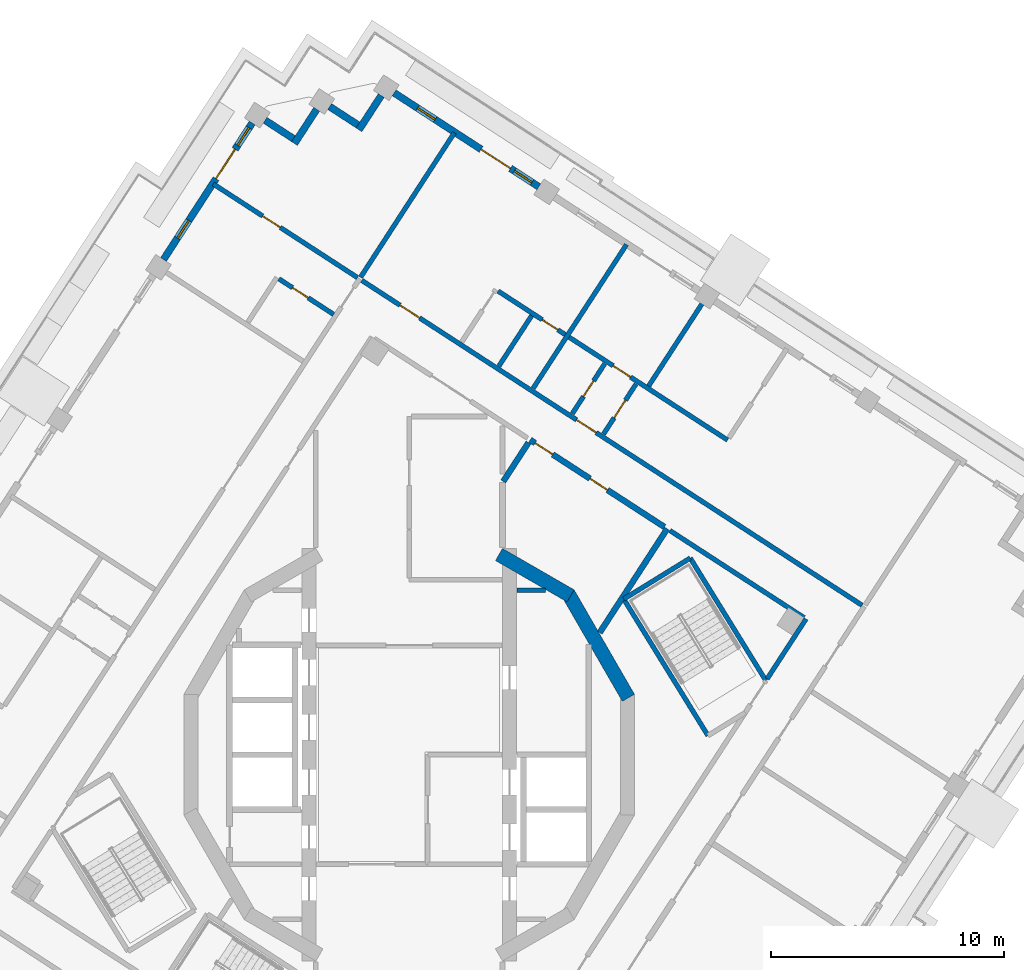
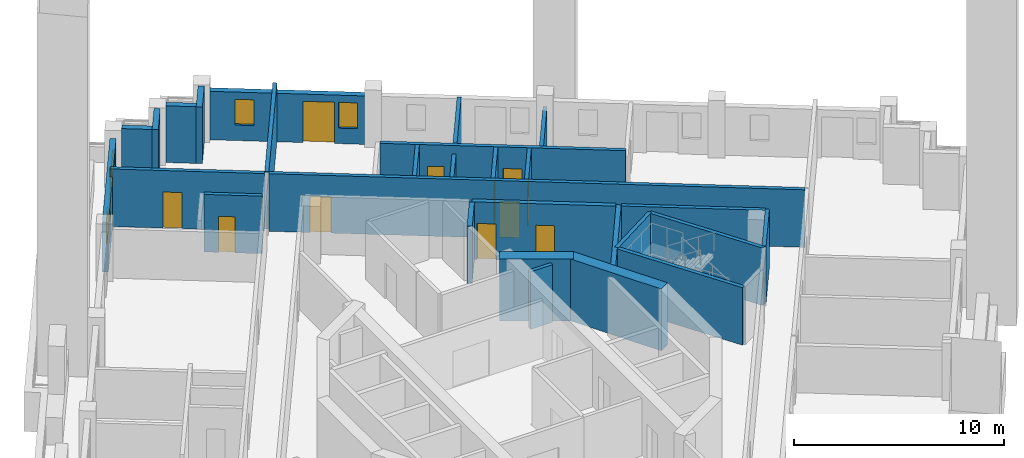
# One storey, part 7 of 15: 27 walls, 12 doors, 4 windows, 16 openings.
"""IFC4 building model written with IfcOpenShell, lengths in metres."""

from ifc_helpers import new_model, si_unit, direction, frame, frame_2d, origin, place, context, subcontext, project, spatial, rectangle, extrude, material, layer, layer_set, type_object, element, fill, save


model = new_model("IFC4")

# Units and contexts
model_context = context("Model", 3, precision=1e-05, world=origin(), true_north=direction((0.0, 1.0)))
body_context = subcontext(model_context, "Body", "Model", "MODEL_VIEW")
ifc_project = project(units=[si_unit("LENGTHUNIT", "METRE"), si_unit("AREAUNIT", "SQUARE_METRE"), si_unit("VOLUMEUNIT", "CUBIC_METRE"), si_unit("PLANEANGLEUNIT", "RADIAN"), si_unit("MASSUNIT", "GRAM", prefix="KILO")], contexts=[model_context])

# Site, building, storey
site_placement = place(None, origin())
site = spatial("IfcSite", under=ifc_project, at=site_placement, CompositionType="ELEMENT")
building_placement = place(site_placement, origin())
building = spatial("IfcBuilding", under=site, at=building_placement, Name="Cantera Rosa Tower", CompositionType="ELEMENT")
storey_placement = place(building_placement, frame((0.0, 0.0, 250.5)))
storey = spatial("IfcBuildingStorey", under=building, at=storey_placement, Name="L55", CompositionType="ELEMENT", Elevation=250.5)

# Walls
ifc_material_1 = material(Name="Gypsum board partition")
ifc_layer_1 = layer(ifc_material_1, 0.199951171875)
ifc_layer_set_1 = layer_set([ifc_layer_1], Name="CORRIDOR WALL 200 H3350")
wall_type_1 = type_object("IfcWallType", Name="CORRIDOR WALL 200 H3350", PredefinedType="PARTITIONING", material=ifc_layer_set_1)
wall_1_placement = place(storey_placement, frame((15.349853515625, 3.256103515625, 0.0), z_axis=(0.0, 0.0, 1.0), x_axis=(0.544603984755, 0.838693328809, 0.0)))
element("IfcWall", 1, at=wall_1_placement, inside=storey, type_object=wall_type_1, Name="CORRIDOR WALL L55-093", PredefinedType="PARTITIONING", context=body_context, shape_type="SweptSolid", body=[
    extrude(rectangle(XDim=3.05908203125, YDim=0.199951171875, at=frame_2d((1.529541015625, 0.0))), origin(), (0.0, 0.0, 1.0), 3.35009765625),
])
wall_2_placement = place(storey_placement, frame((16.931884765625, 5.876220703125, 0.0), z_axis=(0.0, 0.0, 1.0), x_axis=(-0.838675281216, 0.544631777146, 0.0)))
element("IfcWall", 2, at=wall_2_placement, inside=storey, type_object=wall_type_1, Name="CORRIDOR WALL L55-095", PredefinedType="PARTITIONING", context=body_context, shape_type="SweptSolid", body=[
    extrude(rectangle(XDim=6.85986328125, YDim=0.199951171875, at=frame_2d((3.429931640625, 0.0))), origin(), (0.0, 0.0, 1.0), 3.35009765625),
])

# Wall, openings, doors
wall_3_placement = place(storey_placement, frame((19.422119140625, 6.405517578125, 0.0), z_axis=(0.0, 0.0, 1.0), x_axis=(-0.838672283131, 0.544636393851, 0.0)))
wall_3 = element("IfcWall", 3, at=wall_3_placement, inside=storey, type_object=wall_type_1, Name="CORRIDOR WALL L55-098", PredefinedType="PARTITIONING", context=body_context, shape_type="SweptSolid", body=[
    extrude(rectangle(XDim=25.580078125, YDim=0.199951171875, at=frame_2d((12.7900390625, 0.0))), origin(), (0.0, 0.0, 1.0), 3.35009765625),
])
opening_1_placement = place(wall_3_placement, frame((13.60009765625, 0.0, 0.0)))
opening_1 = element("IfcOpeningElement", 4, at=opening_1_placement, cuts=wall_3, Name="Opening L55-019", PredefinedType="OPENING", context=body_context, shape_type="SweptSolid", body=[
    extrude(rectangle(XDim=1.0, YDim=2.10009765625, at=frame_2d((0.5, 1.050048828125))), frame((0.0, 0.10986328125, 0.0), z_axis=(0.0, -1.0, 0.0), x_axis=(1.0, 0.0, 0.0)), (0.0, 0.0, 1.0), 0.219970703125),
])
opening_2_placement = place(wall_3_placement, frame((22.625, 0.0, 0.0)))
opening_2 = element("IfcOpeningElement", 5, at=opening_2_placement, cuts=wall_3, Name="Opening L55-024", PredefinedType="OPENING", context=body_context, shape_type="SweptSolid", body=[
    extrude(rectangle(XDim=1.0, YDim=2.10009765625, at=frame_2d((0.5, 1.050048828125))), frame((0.0, 0.10986328125, 0.0), z_axis=(0.0, -1.0, 0.0), x_axis=(1.0, 0.0, 0.0)), (0.0, 0.0, 1.0), 0.219970703125),
])
ifc_material_2 = material(Name="Timber door leaf", Category="wood")
door_type_1 = type_object("IfcDoorType", Name="ENTRANCE DOOR 1000x2100", OperationType="NOTDEFINED", PredefinedType="DOOR", material=ifc_material_2)
door_1_placement = place(opening_1_placement, origin())
door_1 = element("IfcDoor", 6, at=door_1_placement, inside=storey, type_object=door_type_1, Name="DOOR L55-019", OperationType="NOTDEFINED", OverallHeight=2.10009765625, OverallWidth=1.0, PredefinedType="DOOR", context=body_context, shape_type="SweptSolid", body=[
    extrude(rectangle(XDim=1.0, YDim=2.10009765625, at=frame_2d((0.5, 1.050048828125))), frame((0.0, 0.02490234375, 0.0), z_axis=(0.0, -1.0, 0.0), x_axis=(1.0, 0.0, 0.0)), (0.0, 0.0, 1.0), 0.050048828125),
])
fill(opening_1, door_1)
door_2_placement = place(opening_2_placement, origin())
door_2 = element("IfcDoor", 7, at=door_2_placement, inside=storey, type_object=door_type_1, Name="DOOR L55-024", OperationType="NOTDEFINED", OverallHeight=2.10009765625, OverallWidth=1.0, PredefinedType="DOOR", context=body_context, shape_type="SweptSolid", body=[
    extrude(rectangle(XDim=1.0, YDim=2.10009765625, at=frame_2d((0.5, 1.050048828125))), frame((0.0, 0.02490234375, 0.0), z_axis=(0.0, -1.0, 0.0), x_axis=(1.0, 0.0, 0.0)), (0.0, 0.0, 1.0), 0.050048828125),
])
fill(opening_2, door_2)

# Walls
ifc_material_3 = material(Name="Hollow clay masonry with cantera stone cladding", Category="masonry")
ifc_layer_2 = layer(ifc_material_3, 0.300048828125)
ifc_layer_set_2 = layer_set([ifc_layer_2], Name="EW-LOGGIA 300")
wall_type_2 = type_object("IfcWallType", Name="EW-LOGGIA 300", PredefinedType="SOLIDWALL", material=ifc_layer_set_2)
wall_4_placement = place(storey_placement, frame((-1.2001953125, 28.263427734375, 0.0), z_axis=(0.0, 0.0, 1.0), x_axis=(-0.54461563776, -0.838685761837, 0.0)))
element("IfcWall", 8, at=wall_4_placement, inside=storey, type_object=wall_type_2, Name="EN-L55-W05a", PredefinedType="SOLIDWALL", context=body_context, shape_type="SweptSolid", body=[
    extrude(rectangle(XDim=1.75, YDim=0.300048828125, at=frame_2d((0.875, 0.0))), origin(), (0.0, 0.0, 1.0), 3.300048828125),
])
wall_5_placement = place(storey_placement, frame((-2.197509765625, 27.003173828125, 0.0), z_axis=(0.0, 0.0, 1.0), x_axis=(-0.838647435384, 0.54467465438, 0.0)))
element("IfcWall", 9, at=wall_5_placement, inside=storey, type_object=wall_type_2, Name="EN-L55-W05b", PredefinedType="SOLIDWALL", context=body_context, shape_type="SweptSolid", body=[
    extrude(rectangle(XDim=1.449951171875, YDim=0.300048828125, at=frame_2d((0.72509765625, 0.0))), origin(), (0.0, 0.0, 1.0), 3.300048828125),
])
wall_6_placement = place(storey_placement, frame((-3.966796875, 27.67529296875, 0.0), z_axis=(0.0, 0.0, 1.0), x_axis=(-0.544679362749, -0.83864437743, 0.0)))
element("IfcWall", 10, at=wall_6_placement, inside=storey, type_object=wall_type_2, Name="EN-L55-W06a", PredefinedType="SOLIDWALL", context=body_context, shape_type="SweptSolid", body=[
    extrude(rectangle(XDim=1.75, YDim=0.300048828125, at=frame_2d((0.875, 0.0))), origin(), (0.0, 0.0, 1.0), 3.300048828125),
])
wall_7_placement = place(storey_placement, frame((-4.964111328125, 26.415283203125, 0.0), z_axis=(0.0, 0.0, 1.0), x_axis=(-0.838724343483, 0.544556218997, 0.0)))
element("IfcWall", 11, at=wall_7_placement, inside=storey, type_object=wall_type_2, Name="EN-L55-W06b", PredefinedType="SOLIDWALL", context=body_context, shape_type="SweptSolid", body=[
    extrude(rectangle(XDim=1.449951171875, YDim=0.300048828125, at=frame_2d((0.72509765625, 0.0))), origin(), (0.0, 0.0, 1.0), 3.300048828125),
])

# Wall, openings, windows, door
ifc_material_4 = material(Name="Hollow clay masonry with cantera stone cladding", Category="masonry")
ifc_layer_3 = layer(ifc_material_4, 0.300048828125)
ifc_layer_set_3 = layer_set([ifc_layer_3], Name="EW-LOGGIA 300 H2820")
wall_type_3 = type_object("IfcWallType", Name="EW-LOGGIA 300 H2820", PredefinedType="SOLIDWALL", material=ifc_layer_set_3)
wall_8_placement = place(storey_placement, frame((5.559326171875, 24.350830078125, 0.0), z_axis=(0.0, 0.0, 1.0), x_axis=(-0.838679465365, 0.544625333946, 0.0)))
wall_8 = element("IfcWall", 12, at=wall_8_placement, inside=storey, type_object=wall_type_3, Name="EN-L55-W04", PredefinedType="SOLIDWALL", context=body_context, shape_type="SweptSolid", body=[
    extrude(rectangle(XDim=7.400146484375, YDim=0.300048828125, at=frame_2d((3.7001953125, 0.0))), origin(), (0.0, 0.0, 1.0), 2.820068359375),
])
opening_3_placement = place(wall_8_placement, frame((0.35009765625, 0.0, 0.89990234375)))
opening_3 = element("IfcOpeningElement", 13, at=opening_3_placement, cuts=wall_8, Name="Opening L55-W10", PredefinedType="OPENING", context=body_context, shape_type="SweptSolid", body=[
    extrude(rectangle(XDim=0.89990234375, YDim=1.5, at=frame_2d((0.449951171875, 0.75))), frame((0.0, 0.159912109375, 0.0), z_axis=(0.0, -1.0, 0.0), x_axis=(1.0, 0.0, 0.0)), (0.0, 0.0, 1.0), 0.320068359375),
])
opening_4_placement = place(wall_8_placement, frame((1.449951171875, 0.0, 0.0)))
opening_4 = element("IfcOpeningElement", 14, at=opening_4_placement, cuts=wall_8, Name="Opening L55-TD11", PredefinedType="OPENING", context=body_context, shape_type="SweptSolid", body=[
    extrude(rectangle(XDim=1.5, YDim=2.39990234375, at=frame_2d((0.75, 1.199951171875))), frame((0.0, 0.159912109375, 0.0), z_axis=(0.0, -1.0, 0.0), x_axis=(1.0, 0.0, 0.0)), (0.0, 0.0, 1.0), 0.320068359375),
])
opening_5_placement = place(wall_8_placement, frame((5.300048828125, 0.0, 0.89990234375)))
opening_5 = element("IfcOpeningElement", 15, at=opening_5_placement, cuts=wall_8, Name="Opening L55-W12", PredefinedType="OPENING", context=body_context, shape_type="SweptSolid", body=[
    extrude(rectangle(XDim=0.89990234375, YDim=1.5, at=frame_2d((0.449951171875, 0.75))), frame((0.0, 0.159912109375, 0.0), z_axis=(0.0, -1.0, 0.0), x_axis=(1.0, 0.0, 0.0)), (0.0, 0.0, 1.0), 0.320068359375),
])
ifc_material_5 = material(Name="Aluminium frame with clear glass", Category="aluminium")
window_type = type_object("IfcWindowType", Name="Residential window 900x1500", PartitioningType="SINGLE_PANEL", PredefinedType="WINDOW", material=ifc_material_5)
window_1_placement = place(opening_3_placement, origin())
window_1 = element("IfcWindow", 16, at=window_1_placement, inside=storey, type_object=window_type, Name="WINDOW L55-W10", OverallHeight=1.5, OverallWidth=0.89990234375, PartitioningType="SINGLE_PANEL", PredefinedType="WINDOW", context=body_context, shape_type="SweptSolid", body=[
    extrude(rectangle(XDim=0.89990234375, YDim=1.5, at=frame_2d((0.449951171875, 0.75))), frame((0.0, 0.030029296875, 0.0), z_axis=(0.0, -1.0, 0.0), x_axis=(1.0, 0.0, 0.0)), (0.0, 0.0, 1.0), 0.06005859375),
])
fill(opening_3, window_1)
window_2_placement = place(opening_5_placement, origin())
window_2 = element("IfcWindow", 17, at=window_2_placement, inside=storey, type_object=window_type, Name="WINDOW L55-W12", OverallHeight=1.5, OverallWidth=0.89990234375, PartitioningType="SINGLE_PANEL", PredefinedType="WINDOW", context=body_context, shape_type="SweptSolid", body=[
    extrude(rectangle(XDim=0.89990234375, YDim=1.5, at=frame_2d((0.449951171875, 0.75))), frame((0.0, 0.030029296875, 0.0), z_axis=(0.0, -1.0, 0.0), x_axis=(1.0, 0.0, 0.0)), (0.0, 0.0, 1.0), 0.06005859375),
])
fill(opening_5, window_2)
ifc_material_6 = material(Name="Aluminium frame with clear glass", Category="aluminium")
door_type_2 = type_object("IfcDoorType", Name="TD-R 1500x2400", OperationType="NOTDEFINED", PredefinedType="DOOR", material=ifc_material_6)
door_3_placement = place(opening_4_placement, origin())
door_3 = element("IfcDoor", 18, at=door_3_placement, inside=storey, type_object=door_type_2, Name="LOGGIA DOOR L55-TD11", OperationType="SLIDING_TO_LEFT", OverallHeight=2.39990234375, OverallWidth=1.5, PredefinedType="DOOR", context=body_context, shape_type="SweptSolid", body=[
    extrude(rectangle(XDim=1.5, YDim=2.39990234375, at=frame_2d((0.75, 1.199951171875))), frame((0.0, 0.02490234375, 0.0), z_axis=(0.0, -1.0, 0.0), x_axis=(1.0, 0.0, 0.0)), (0.0, 0.0, 1.0), 0.050048828125),
])
fill(opening_4, door_3)

ifc_material_7 = material(Name="Hollow clay masonry with cantera stone cladding", Category="masonry")
ifc_layer_4 = layer(ifc_material_7, 0.300048828125)
ifc_layer_set_4 = layer_set([ifc_layer_4], Name="EW-LOGGIA 300 H2890")
wall_type_4 = type_object("IfcWallType", Name="EW-LOGGIA 300 H2890", PredefinedType="SOLIDWALL", material=ifc_layer_set_4)
wall_9_placement = place(storey_placement, frame((-6.7333984375, 27.08740234375, 0.0), z_axis=(0.0, 0.0, 1.0), x_axis=(-0.544651451949, -0.838662504164, 0.0)))
wall_9 = element("IfcWall", 19, at=wall_9_placement, inside=storey, type_object=wall_type_4, Name="EN-L55-W07", PredefinedType="SOLIDWALL", context=body_context, shape_type="SweptSolid", body=[
    extrude(rectangle(XDim=6.980224609375, YDim=0.300048828125, at=frame_2d((3.490234375, 0.0))), origin(), (0.0, 0.0, 1.0), 2.889892578125),
])
opening_6_placement = place(wall_9_placement, frame((0.2451171875, 0.0, 0.89990234375)))
opening_6 = element("IfcOpeningElement", 20, at=opening_6_placement, cuts=wall_9, Name="Opening L55-W13", PredefinedType="OPENING", context=body_context, shape_type="SweptSolid", body=[
    extrude(rectangle(XDim=0.89990234375, YDim=1.5, at=frame_2d((0.449951171875, 0.75))), frame((0.0, 0.159912109375, 0.0), z_axis=(0.0, -1.0, 0.0), x_axis=(1.0, 0.0, 0.0)), (0.0, 0.0, 1.0), 0.320068359375),
])
opening_7_placement = place(wall_9_placement, frame((1.344970703125, 0.0, 0.0)))
opening_7 = element("IfcOpeningElement", 21, at=opening_7_placement, cuts=wall_9, Name="Opening L55-TD14", PredefinedType="OPENING", context=body_context, shape_type="SweptSolid", body=[
    extrude(rectangle(XDim=1.5, YDim=2.39990234375, at=frame_2d((0.75, 1.199951171875))), frame((0.0, 0.159912109375, 0.0), z_axis=(0.0, -1.0, 0.0), x_axis=(1.0, 0.0, 0.0)), (0.0, 0.0, 1.0), 0.320068359375),
])
opening_8_placement = place(wall_9_placement, frame((4.985107421875, 0.0, 0.89990234375)))
opening_8 = element("IfcOpeningElement", 22, at=opening_8_placement, cuts=wall_9, Name="Opening L55-W15", PredefinedType="OPENING", context=body_context, shape_type="SweptSolid", body=[
    extrude(rectangle(XDim=0.89990234375, YDim=1.5, at=frame_2d((0.449951171875, 0.75))), frame((0.0, 0.159912109375, 0.0), z_axis=(0.0, -1.0, 0.0), x_axis=(1.0, 0.0, 0.0)), (0.0, 0.0, 1.0), 0.320068359375),
])
window_3_placement = place(opening_6_placement, origin())
window_3 = element("IfcWindow", 23, at=window_3_placement, inside=storey, type_object=window_type, Name="WINDOW L55-W13", OverallHeight=1.5, OverallWidth=0.89990234375, PartitioningType="SINGLE_PANEL", PredefinedType="WINDOW", context=body_context, shape_type="SweptSolid", body=[
    extrude(rectangle(XDim=0.89990234375, YDim=1.5, at=frame_2d((0.449951171875, 0.75))), frame((0.0, 0.030029296875, 0.0), z_axis=(0.0, -1.0, 0.0), x_axis=(1.0, 0.0, 0.0)), (0.0, 0.0, 1.0), 0.06005859375),
])
fill(opening_6, window_3)
window_4_placement = place(opening_8_placement, origin())
window_4 = element("IfcWindow", 24, at=window_4_placement, inside=storey, type_object=window_type, Name="WINDOW L55-W15", OverallHeight=1.5, OverallWidth=0.89990234375, PartitioningType="SINGLE_PANEL", PredefinedType="WINDOW", context=body_context, shape_type="SweptSolid", body=[
    extrude(rectangle(XDim=0.89990234375, YDim=1.5, at=frame_2d((0.449951171875, 0.75))), frame((0.0, 0.030029296875, 0.0), z_axis=(0.0, -1.0, 0.0), x_axis=(1.0, 0.0, 0.0)), (0.0, 0.0, 1.0), 0.06005859375),
])
fill(opening_8, window_4)
door_4_placement = place(opening_7_placement, origin())
door_4 = element("IfcDoor", 25, at=door_4_placement, inside=storey, type_object=door_type_2, Name="LOGGIA DOOR L55-TD14", OperationType="SLIDING_TO_LEFT", OverallHeight=2.39990234375, OverallWidth=1.5, PredefinedType="DOOR", context=body_context, shape_type="SweptSolid", body=[
    extrude(rectangle(XDim=1.5, YDim=2.39990234375, at=frame_2d((0.75, 1.199951171875))), frame((0.0, 0.02490234375, 0.0), z_axis=(0.0, -1.0, 0.0), x_axis=(1.0, 0.0, 0.0)), (0.0, 0.0, 1.0), 0.050048828125),
])
fill(opening_7, door_4)

# Wall
ifc_material_8 = material(Name="Gypsum board partition")
ifc_layer_5 = layer(ifc_material_8, 0.199951171875)
ifc_layer_set_5 = layer_set([ifc_layer_5], Name="PARTITION 200 H2450")
wall_type_5 = type_object("IfcWallType", Name="PARTITION 200 H2450", PredefinedType="PARTITIONING", material=ifc_layer_set_5)
wall_10_placement = place(storey_placement, frame((12.75537109375, 19.6416015625, 0.0), z_axis=(0.0, 0.0, 1.0), x_axis=(-0.544637163551, -0.838671783285, 0.0)))
element("IfcWall", 26, at=wall_10_placement, inside=storey, type_object=wall_type_5, Name="PARTITION L55-089", PredefinedType="PARTITIONING", context=body_context, shape_type="SweptSolid", body=[
    extrude(rectangle(XDim=4.570068359375, YDim=0.199951171875, at=frame_2d((2.28515625, 0.0))), origin(), (0.0, 0.0, 1.0), 2.449951171875),
])

# Wall, opening, door
ifc_material_9 = material(Name="Gypsum board partition")
ifc_layer_6 = layer(ifc_material_9, 0.199951171875)
ifc_layer_set_6 = layer_set([ifc_layer_6], Name="PARTITION 200 H3350")
wall_type_6 = type_object("IfcWallType", Name="PARTITION 200 H3350", PredefinedType="PARTITIONING", material=ifc_layer_set_6)
wall_11_placement = place(storey_placement, frame((-5.587890625, 20.405517578125, 0.0), z_axis=(0.0, 0.0, 1.0), x_axis=(0.838656694237, -0.544660398056, 0.0)))
wall_11 = element("IfcWall", 27, at=wall_11_placement, inside=storey, type_object=wall_type_6, Name="PARTITION L55-033", PredefinedType="PARTITIONING", context=body_context, shape_type="SweptSolid", body=[
    extrude(rectangle(XDim=2.80029296875, YDim=0.199951171875, at=frame_2d((1.400146484375, 0.0))), origin(), (0.0, 0.0, 1.0), 3.35009765625),
])
opening_9_placement = place(wall_11_placement, frame((0.699951171875, 0.0, 0.0)))
opening_9 = element("IfcOpeningElement", 28, at=opening_9_placement, cuts=wall_11, Name="Opening L55-034", PredefinedType="OPENING", context=body_context, shape_type="SweptSolid", body=[
    extrude(rectangle(XDim=0.800048828125, YDim=2.10009765625, at=frame_2d((0.39990234375, 1.050048828125))), frame((0.0, 0.10986328125, 0.0), z_axis=(0.0, -1.0, 0.0), x_axis=(1.0, 0.0, 0.0)), (0.0, 0.0, 1.0), 0.219970703125),
])
ifc_material_10 = material(Name="Timber door leaf", Category="wood")
door_type_3 = type_object("IfcDoorType", Name="BATHROOM DOOR 800x2100", OperationType="NOTDEFINED", PredefinedType="DOOR", material=ifc_material_10)
door_5_placement = place(opening_9_placement, origin())
door_5 = element("IfcDoor", 29, at=door_5_placement, inside=storey, type_object=door_type_3, Name="DOOR L55-034", OperationType="NOTDEFINED", OverallHeight=2.10009765625, OverallWidth=0.800048828125, PredefinedType="DOOR", context=body_context, shape_type="SweptSolid", body=[
    extrude(rectangle(XDim=0.800048828125, YDim=2.10009765625, at=frame_2d((0.39990234375, 1.050048828125))), frame((0.0, 0.02490234375, 0.0), z_axis=(0.0, -1.0, 0.0), x_axis=(1.0, 0.0, 0.0)), (0.0, 0.0, 1.0), 0.050048828125),
])
fill(opening_9, door_5)

wall_12_placement = place(storey_placement, frame((-2.2158203125, 20.45703125, 0.0), z_axis=(0.0, 0.0, 1.0), x_axis=(-0.838656223885, 0.544661122294, 0.0)))
wall_12 = element("IfcWall", 30, at=wall_12_placement, inside=storey, type_object=wall_type_6, Name="PARTITION L55-047", PredefinedType="PARTITIONING", context=body_context, shape_type="SweptSolid", body=[
    extrude(rectangle(XDim=7.3701171875, YDim=0.199951171875, at=frame_2d((3.68505859375, 0.0))), origin(), (0.0, 0.0, 1.0), 3.35009765625),
])
opening_10_placement = place(wall_12_placement, frame((3.949951171875, 0.0, 0.0)))
opening_10 = element("IfcOpeningElement", 31, at=opening_10_placement, cuts=wall_12, Name="Opening L55-035", PredefinedType="OPENING", context=body_context, shape_type="SweptSolid", body=[
    extrude(rectangle(XDim=0.89990234375, YDim=2.10009765625, at=frame_2d((0.449951171875, 1.050048828125))), frame((0.0, 0.10986328125, 0.0), z_axis=(0.0, -1.0, 0.0), x_axis=(1.0, 0.0, 0.0)), (0.0, 0.0, 1.0), 0.219970703125),
])
ifc_material_11 = material(Name="Timber door leaf", Category="wood")
door_type_4 = type_object("IfcDoorType", Name="ROOM DOOR 900x2100", OperationType="NOTDEFINED", PredefinedType="DOOR", material=ifc_material_11)
door_6_placement = place(opening_10_placement, origin())
door_6 = element("IfcDoor", 32, at=door_6_placement, inside=storey, type_object=door_type_4, Name="DOOR L55-035", OperationType="NOTDEFINED", OverallHeight=2.10009765625, OverallWidth=0.89990234375, PredefinedType="DOOR", context=body_context, shape_type="SweptSolid", body=[
    extrude(rectangle(XDim=0.89990234375, YDim=2.10009765625, at=frame_2d((0.449951171875, 1.050048828125))), frame((0.0, 0.02490234375, 0.0), z_axis=(0.0, -1.0, 0.0), x_axis=(1.0, 0.0, 0.0)), (0.0, 0.0, 1.0), 0.050048828125),
])
fill(opening_10, door_6)

# Wall, openings, doors
wall_13_placement = place(storey_placement, frame((3.81298828125, 19.880615234375, 0.0), z_axis=(0.0, 0.0, 1.0), x_axis=(0.838672750413, -0.544635674295, 0.0)))
wall_13 = element("IfcWall", 33, at=wall_13_placement, inside=storey, type_object=wall_type_6, Name="PARTITION L55-063", PredefinedType="PARTITIONING", context=body_context, shape_type="SweptSolid", body=[
    extrude(rectangle(XDim=11.729736328125, YDim=0.199951171875, at=frame_2d((5.86474609375, 0.0))), origin(), (0.0, 0.0, 1.0), 3.35009765625),
])
opening_11_placement = place(wall_13_placement, frame((5.8798828125, 0.0, 0.0)))
opening_11 = element("IfcOpeningElement", 34, at=opening_11_placement, cuts=wall_13, Name="Opening L55-022", PredefinedType="OPENING", context=body_context, shape_type="SweptSolid", body=[
    extrude(rectangle(XDim=0.89990234375, YDim=2.10009765625, at=frame_2d((0.449951171875, 1.050048828125))), frame((0.0, 0.10986328125, 0.0), z_axis=(0.0, -1.0, 0.0), x_axis=(1.0, 0.0, 0.0)), (0.0, 0.0, 1.0), 0.219970703125),
])
opening_12_placement = place(wall_13_placement, frame((2.2548828125, 0.0, 0.0)))
opening_12 = element("IfcOpeningElement", 35, at=opening_12_placement, cuts=wall_13, Name="Opening L55-025", PredefinedType="OPENING", context=body_context, shape_type="SweptSolid", body=[
    extrude(rectangle(XDim=0.800048828125, YDim=2.10009765625, at=frame_2d((0.39990234375, 1.050048828125))), frame((0.0, 0.10986328125, 0.0), z_axis=(0.0, -1.0, 0.0), x_axis=(1.0, 0.0, 0.0)), (0.0, 0.0, 1.0), 0.219970703125),
])
door_7_placement = place(opening_12_placement, origin())
door_7 = element("IfcDoor", 36, at=door_7_placement, inside=storey, type_object=door_type_3, Name="DOOR L55-025", OperationType="NOTDEFINED", OverallHeight=2.10009765625, OverallWidth=0.800048828125, PredefinedType="DOOR", context=body_context, shape_type="SweptSolid", body=[
    extrude(rectangle(XDim=0.800048828125, YDim=2.10009765625, at=frame_2d((0.39990234375, 1.050048828125))), frame((0.0, 0.02490234375, 0.0), z_axis=(0.0, -1.0, 0.0), x_axis=(1.0, 0.0, 0.0)), (0.0, 0.0, 1.0), 0.050048828125),
])
fill(opening_12, door_7)
door_8_placement = place(opening_11_placement, origin())
door_8 = element("IfcDoor", 37, at=door_8_placement, inside=storey, type_object=door_type_4, Name="DOOR L55-022", OperationType="NOTDEFINED", OverallHeight=2.10009765625, OverallWidth=0.89990234375, PredefinedType="DOOR", context=body_context, shape_type="SweptSolid", body=[
    extrude(rectangle(XDim=0.89990234375, YDim=2.10009765625, at=frame_2d((0.449951171875, 1.050048828125))), frame((0.0, 0.02490234375, 0.0), z_axis=(0.0, -1.0, 0.0), x_axis=(1.0, 0.0, 0.0)), (0.0, 0.0, 1.0), 0.050048828125),
])
fill(opening_11, door_8)

# Walls
wall_14_placement = place(storey_placement, frame((3.84619140625, 16.66357421875, 0.0), z_axis=(0.0, 0.0, 1.0), x_axis=(0.544592476005, 0.838700801883, 0.0)))
element("IfcWall", 38, at=wall_14_placement, inside=storey, type_object=wall_type_6, Name="PARTITION L55-064", PredefinedType="PARTITIONING", context=body_context, shape_type="SweptSolid", body=[
    extrude(rectangle(XDim=2.580078125, YDim=0.199951171875, at=frame_2d((1.2900390625, 0.0))), origin(), (0.0, 0.0, 1.0), 3.35009765625),
])
wall_15_placement = place(storey_placement, frame((4.6298828125, 7.050048828125, 0.0), z_axis=(0.0, 0.0, 1.0), x_axis=(1.0, 0.0, 0.0)))
element("IfcWall", 39, at=wall_15_placement, inside=storey, type_object=wall_type_6, Name="PARTITION L55-072", PredefinedType="PARTITIONING", context=body_context, shape_type="SweptSolid", body=[
    extrude(rectangle(XDim=1.2177734375, YDim=0.199951171875, at=frame_2d((0.60888671875, 0.0))), origin(), (0.0, 0.0, 1.0), 3.35009765625),
])

# Wall, opening, door
wall_16_placement = place(storey_placement, frame((8.385498046875, 16.768310546875, 0.0), z_axis=(0.0, 0.0, 1.0), x_axis=(-0.544602829464, -0.838694078994, 0.0)))
wall_16 = element("IfcWall", 40, at=wall_16_placement, inside=storey, type_object=wall_type_6, Name="PARTITION L55-083", PredefinedType="PARTITIONING", context=body_context, shape_type="SweptSolid", body=[
    extrude(rectangle(XDim=2.560302734375, YDim=0.199951171875, at=frame_2d((1.2802734375, 0.0))), origin(), (0.0, 0.0, 1.0), 3.35009765625),
])
opening_13_placement = place(wall_16_placement, frame((0.8798828125, 0.0, 0.0)))
opening_13 = element("IfcOpeningElement", 41, at=opening_13_placement, cuts=wall_16, Name="Opening L55-020", PredefinedType="OPENING", context=body_context, shape_type="SweptSolid", body=[
    extrude(rectangle(XDim=0.800048828125, YDim=2.10009765625, at=frame_2d((0.39990234375, 1.050048828125))), frame((0.0, 0.10986328125, 0.0), z_axis=(0.0, -1.0, 0.0), x_axis=(1.0, 0.0, 0.0)), (0.0, 0.0, 1.0), 0.219970703125),
])
door_9_placement = place(opening_13_placement, origin())
door_9 = element("IfcDoor", 42, at=door_9_placement, inside=storey, type_object=door_type_3, Name="DOOR L55-020", OperationType="NOTDEFINED", OverallHeight=2.10009765625, OverallWidth=0.800048828125, PredefinedType="DOOR", context=body_context, shape_type="SweptSolid", body=[
    extrude(rectangle(XDim=0.800048828125, YDim=2.10009765625, at=frame_2d((0.39990234375, 1.050048828125))), frame((0.0, 0.02490234375, 0.0), z_axis=(0.0, -1.0, 0.0), x_axis=(1.0, 0.0, 0.0)), (0.0, 0.0, 1.0), 0.050048828125),
])
fill(opening_13, door_9)

wall_17_placement = place(storey_placement, frame((9.727294921875, 15.896728515625, 0.0), z_axis=(0.0, 0.0, 1.0), x_axis=(-0.544646388536, -0.838665792468, 0.0)))
wall_17 = element("IfcWall", 43, at=wall_17_placement, inside=storey, type_object=wall_type_6, Name="PARTITION L55-086", PredefinedType="PARTITIONING", context=body_context, shape_type="SweptSolid", body=[
    extrude(rectangle(XDim=2.56005859375, YDim=0.199951171875, at=frame_2d((1.280029296875, 0.0))), origin(), (0.0, 0.0, 1.0), 3.35009765625),
])
opening_14_placement = place(wall_17_placement, frame((0.830078125, 0.0, 0.0)))
opening_14 = element("IfcOpeningElement", 44, at=opening_14_placement, cuts=wall_17, Name="Opening L55-021", PredefinedType="OPENING", context=body_context, shape_type="SweptSolid", body=[
    extrude(rectangle(XDim=0.89990234375, YDim=2.10009765625, at=frame_2d((0.449951171875, 1.050048828125))), frame((0.0, 0.10986328125, 0.0), z_axis=(0.0, -1.0, 0.0), x_axis=(1.0, 0.0, 0.0)), (0.0, 0.0, 1.0), 0.219970703125),
])
door_10_placement = place(opening_14_placement, origin())
door_10 = element("IfcDoor", 45, at=door_10_placement, inside=storey, type_object=door_type_4, Name="DOOR L55-021", OperationType="NOTDEFINED", OverallHeight=2.10009765625, OverallWidth=0.89990234375, PredefinedType="DOOR", context=body_context, shape_type="SweptSolid", body=[
    extrude(rectangle(XDim=0.89990234375, YDim=2.10009765625, at=frame_2d((0.449951171875, 1.050048828125))), frame((0.0, 0.02490234375, 0.0), z_axis=(0.0, -1.0, 0.0), x_axis=(1.0, 0.0, 0.0)), (0.0, 0.0, 1.0), 0.050048828125),
])
fill(opening_14, door_10)

# Walls
ifc_material_12 = material(Name="Gypsum board partition")
ifc_layer_7 = layer(ifc_material_12, 0.199951171875)
ifc_layer_set_7 = layer_set([ifc_layer_7], Name="PARTY WALL 200 H2850")
wall_type_7 = type_object("IfcWallType", Name="PARTY WALL 200 H2850", PredefinedType="PARTITIONING", material=ifc_layer_set_7)
wall_18_placement = place(storey_placement, frame((5.313720703125, 15.71044921875, 0.0), z_axis=(0.0, 0.0, 1.0), x_axis=(0.544641550729, 0.838668934217, 0.0)))
element("IfcWall", 46, at=wall_18_placement, inside=storey, type_object=wall_type_7, Name="PARTY WALL L55-075", PredefinedType="PARTITIONING", context=body_context, shape_type="SweptSolid", body=[
    extrude(rectangle(XDim=7.35009765625, YDim=0.199951171875, at=frame_2d((3.675048828125, 0.0))), origin(), (0.0, 0.0, 1.0), 2.85009765625),
])
ifc_material_13 = material(Name="Gypsum board partition")
ifc_layer_8 = layer(ifc_material_13, 0.199951171875)
ifc_layer_set_8 = layer_set([ifc_layer_8], Name="PARTY WALL 200 H3350")
wall_type_8 = type_object("IfcWallType", Name="PARTY WALL 200 H3350", PredefinedType="PARTITIONING", material=ifc_layer_set_8)
wall_19_placement = place(storey_placement, frame((-2.08837890625, 20.4697265625, 0.0), z_axis=(0.0, 0.0, 1.0), x_axis=(0.544642261206, 0.838668472824, 0.0)))
element("IfcWall", 47, at=wall_19_placement, inside=storey, type_object=wall_type_8, Name="PARTY WALL L55-048", PredefinedType="PARTITIONING", context=body_context, shape_type="SweptSolid", body=[
    extrude(rectangle(XDim=7.389892578125, YDim=0.199951171875, at=frame_2d((3.69482421875, 0.0))), origin(), (0.0, 0.0, 1.0), 3.35009765625),
])
ifc_material_14 = material(Name="Concrete C50/60", Category="concrete")
ifc_layer_9 = layer(ifc_material_14, 0.60009765625)
ifc_layer_set_9 = layer_set([ifc_layer_9], Name="RC CORE WALL 600 C50/60")
wall_type_9 = type_object("IfcWallType", Name="RC CORE WALL 600 C50/60", PredefinedType="SHEAR", material=ifc_layer_set_9)
wall_20_placement = place(storey_placement, frame((3.85009765625, 8.584228515625, 0.0), z_axis=(0.0, 0.0, 1.0), x_axis=(0.866039982607, -0.499974747889, 0.0)))
element("IfcWall", 48, at=wall_20_placement, inside=storey, type_object=wall_type_9, Name="CW-E1 L55", PredefinedType="SHEAR", context=body_context, shape_type="SweptSolid", body=[
    extrude(rectangle(XDim=3.546142578125, YDim=0.60009765625, at=frame_2d((1.77294921875, 0.0))), origin(), (0.0, 0.0, 1.0), 3.60009765625),
])
wall_21_placement = place(storey_placement, frame((6.811279296875, 6.921142578125, 0.0), z_axis=(0.0, 0.0, 1.0), x_axis=(0.499989188378, -0.866031645787, 0.0)))
element("IfcWall", 49, at=wall_21_placement, inside=storey, type_object=wall_type_9, Name="CW-E2 L55", PredefinedType="SHEAR", context=body_context, shape_type="SweptSolid", body=[
    extrude(rectangle(XDim=5.17626953125, YDim=0.60009765625, at=frame_2d((2.588134765625, 0.0))), origin(), (0.0, 0.0, 1.0), 3.60009765625),
])
ifc_material_15 = material(Name="Masonry blockwork", Category="masonry")
ifc_layer_10 = layer(ifc_material_15, 0.25)
ifc_layer_set_10 = layer_set([ifc_layer_10], Name="SHAFT WALL 250 H3350")
wall_type_10 = type_object("IfcWallType", Name="SHAFT WALL 250 H3350", PredefinedType="SOLIDWALL", material=ifc_layer_set_10)
wall_22_placement = place(storey_placement, frame((4.03271484375, 11.718017578125, 0.0), z_axis=(0.0, 0.0, 1.0), x_axis=(0.544646988236, 0.83866540301, 0.0)))
element("IfcWall", 50, at=wall_22_placement, inside=storey, type_object=wall_type_10, Name="SHAFT WALL L55-068", PredefinedType="SOLIDWALL", context=body_context, shape_type="SweptSolid", body=[
    extrude(rectangle(XDim=1.986328125, YDim=0.25, at=frame_2d((0.9931640625, 0.0))), origin(), (0.0, 0.0, 1.0), 3.35009765625),
])
wall_23_placement = place(storey_placement, frame((8.167236328125, 5.232421875, 0.0), z_axis=(0.0, 0.0, 1.0), x_axis=(0.544650772674, 0.838662945303, 0.0)))
element("IfcWall", 51, at=wall_23_placement, inside=storey, type_object=wall_type_10, Name="SHAFT WALL L55-082", PredefinedType="SOLIDWALL", context=body_context, shape_type="SweptSolid", body=[
    extrude(rectangle(XDim=5.3134765625, YDim=0.25, at=frame_2d((2.65673828125, 0.0))), origin(), (0.0, 0.0, 1.0), 3.35009765625),
])

# Wall, openings, doors
wall_24_placement = place(storey_placement, frame((10.94384765625, 9.764892578125, 0.0), z_axis=(0.0, 0.0, 1.0), x_axis=(-0.838659024801, 0.544656809487, 0.0)))
wall_24 = element("IfcWall", 52, at=wall_24_placement, inside=storey, type_object=wall_type_10, Name="SHAFT WALL L55-087", PredefinedType="SOLIDWALL", context=body_context, shape_type="SweptSolid", body=[
    extrude(rectangle(XDim=6.85986328125, YDim=0.25, at=frame_2d((3.429931640625, 0.0))), origin(), (0.0, 0.0, 1.0), 3.35009765625),
])
opening_15_placement = place(wall_24_placement, frame((5.7099609375, 0.0, 0.0)))
opening_15 = element("IfcOpeningElement", 53, at=opening_15_placement, cuts=wall_24, Name="Opening L55-007", PredefinedType="OPENING", context=body_context, shape_type="SweptSolid", body=[
    extrude(rectangle(XDim=0.89990234375, YDim=2.10009765625, at=frame_2d((0.449951171875, 1.050048828125))), frame((0.0, 0.135009765625, 0.0), z_axis=(0.0, -1.0, 0.0), x_axis=(1.0, 0.0, 0.0)), (0.0, 0.0, 1.0), 0.27001953125),
])
opening_16_placement = place(wall_24_placement, frame((2.909912109375, 0.0, 0.0)))
opening_16 = element("IfcOpeningElement", 54, at=opening_16_placement, cuts=wall_24, Name="Opening L55-048", PredefinedType="OPENING", context=body_context, shape_type="SweptSolid", body=[
    extrude(rectangle(XDim=0.89990234375, YDim=2.10009765625, at=frame_2d((0.449951171875, 1.050048828125))), frame((0.0, 0.135009765625, 0.0), z_axis=(0.0, -1.0, 0.0), x_axis=(1.0, 0.0, 0.0)), (0.0, 0.0, 1.0), 0.27001953125),
])
ifc_material_16 = material(Name="Timber door leaf", Category="wood")
door_type_5 = type_object("IfcDoorType", Name="SERVICE DOOR 900x2100", OperationType="NOTDEFINED", PredefinedType="DOOR", material=ifc_material_16)
door_11_placement = place(opening_15_placement, origin())
door_11 = element("IfcDoor", 55, at=door_11_placement, inside=storey, type_object=door_type_5, Name="RISER DOOR L55-007", OperationType="NOTDEFINED", OverallHeight=2.10009765625, OverallWidth=0.89990234375, PredefinedType="DOOR", context=body_context, shape_type="SweptSolid", body=[
    extrude(rectangle(XDim=0.89990234375, YDim=2.10009765625, at=frame_2d((0.449951171875, 1.050048828125))), frame((0.0, 0.02490234375, 0.0), z_axis=(0.0, -1.0, 0.0), x_axis=(1.0, 0.0, 0.0)), (0.0, 0.0, 1.0), 0.050048828125),
])
fill(opening_15, door_11)
door_12_placement = place(opening_16_placement, origin())
door_12 = element("IfcDoor", 56, at=door_12_placement, inside=storey, type_object=door_type_5, Name="RISER DOOR L55-048", OperationType="NOTDEFINED", OverallHeight=2.10009765625, OverallWidth=0.89990234375, PredefinedType="DOOR", context=body_context, shape_type="SweptSolid", body=[
    extrude(rectangle(XDim=0.89990234375, YDim=2.10009765625, at=frame_2d((0.449951171875, 1.050048828125))), frame((0.0, 0.02490234375, 0.0), z_axis=(0.0, -1.0, 0.0), x_axis=(1.0, 0.0, 0.0)), (0.0, 0.0, 1.0), 0.050048828125),
])
fill(opening_16, door_12)

# Walls
ifc_material_17 = material(Name="Concrete C50/60", Category="concrete")
ifc_layer_11 = layer(ifc_material_17, 0.199951171875)
ifc_layer_set_11 = layer_set([ifc_layer_11], Name="STAIR WALL 200 H3350")
wall_type_11 = type_object("IfcWallType", Name="STAIR WALL 200 H3350", PredefinedType="SOLIDWALL", material=ifc_layer_set_11)
wall_25_placement = place(storey_placement, frame((9.199462890625, 6.674072265625, 0.0), z_axis=(0.0, 0.0, 1.0), x_axis=(0.85113993661, 0.524938861495, 0.0)))
element("IfcWall", 57, at=wall_25_placement, inside=storey, type_object=wall_type_11, Name="STAIR WALL L55-084", PredefinedType="SOLIDWALL", context=body_context, shape_type="SweptSolid", body=[
    extrude(rectangle(XDim=3.35009765625, YDim=0.199951171875, at=frame_2d((1.675048828125, 0.0))), origin(), (0.0, 0.0, 1.0), 3.35009765625),
])
wall_26_placement = place(storey_placement, frame((9.199462890625, 6.674072265625, 0.0), z_axis=(0.0, 0.0, 1.0), x_axis=(0.524972254536, -0.851119340614, 0.0)))
element("IfcWall", 58, at=wall_26_placement, inside=storey, type_object=wall_type_11, Name="STAIR WALL L55-085", PredefinedType="SOLIDWALL", context=body_context, shape_type="SweptSolid", body=[
    extrude(rectangle(XDim=6.880126953125, YDim=0.199951171875, at=frame_2d((3.43994140625, 0.0))), origin(), (0.0, 0.0, 1.0), 3.35009765625),
])
wall_27_placement = place(storey_placement, frame((12.05078125, 8.4326171875, 0.0), z_axis=(0.0, 0.0, 1.0), x_axis=(0.524983142341, -0.851112624896, 0.0)))
element("IfcWall", 59, at=wall_27_placement, inside=storey, type_object=wall_type_11, Name="STAIR WALL L55-088", PredefinedType="SOLIDWALL", context=body_context, shape_type="SweptSolid", body=[
    extrude(rectangle(XDim=6.180419921875, YDim=0.199951171875, at=frame_2d((3.09033203125, 0.0))), origin(), (0.0, 0.0, 1.0), 3.35009765625),
])

save(model, "model.ifc")
